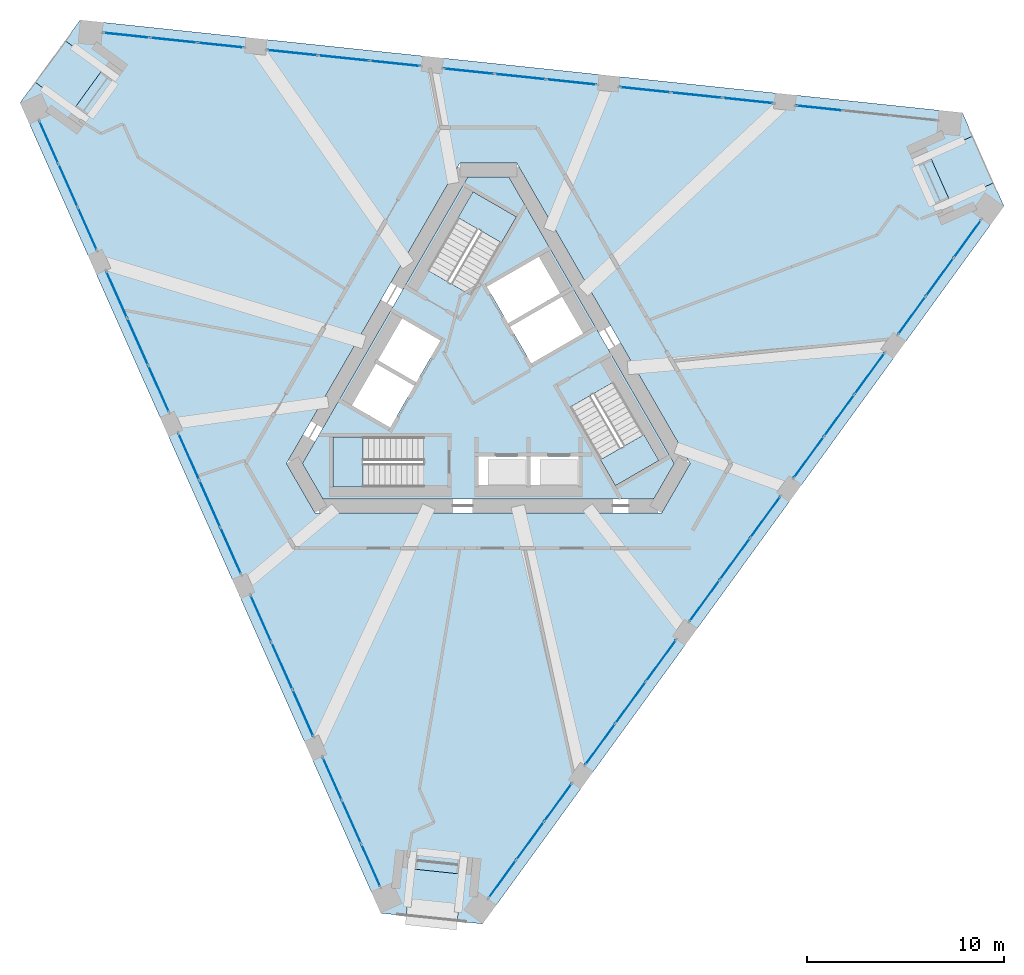
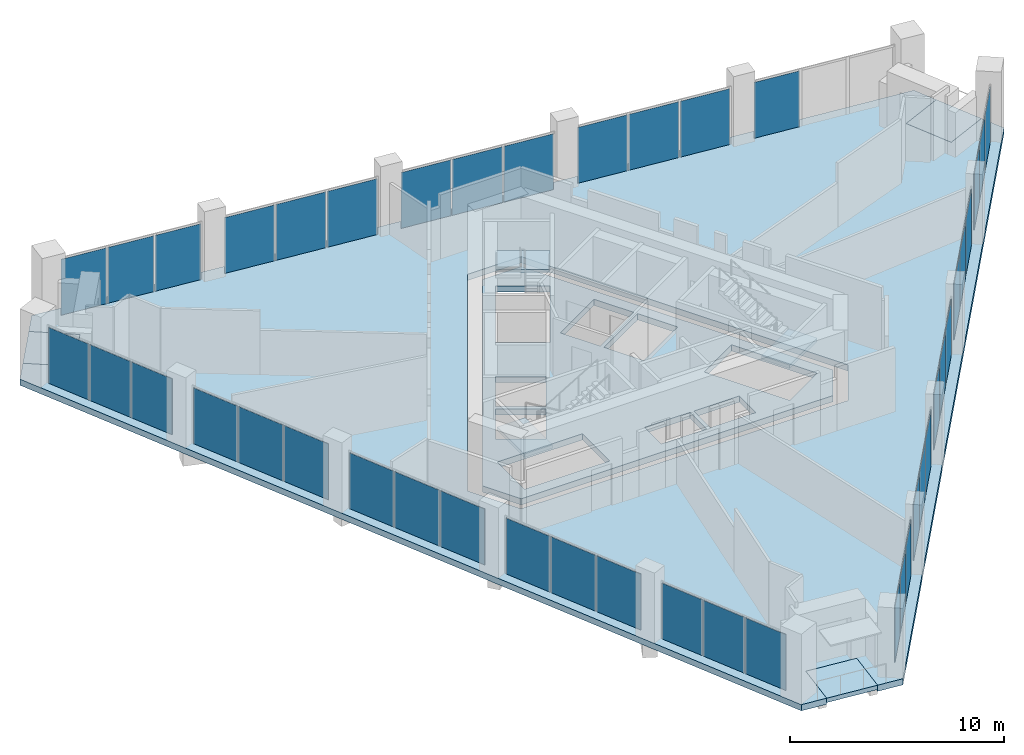
# One storey, part 7 of 15: 43 plates, 8 slabs, 18 elements without a shape of their own.
"""IFC4 building model written with IfcOpenShell, lengths in metres."""

from ifc_helpers import new_model, si_unit, direction, frame, origin, origin_2d, place, context, subcontext, project, spatial, polyline, rectangle, outline, extrude, material, layer, layer_set, type_object, element, aggregate, save


model = new_model("IFC4")

# Units and contexts
model_context = context("Model", 3, precision=1e-05, world=origin(), true_north=direction((0.0, 1.0)))
body_context = subcontext(model_context, "Body", "Model", "MODEL_VIEW")
ifc_project = project(units=[si_unit("LENGTHUNIT", "METRE"), si_unit("AREAUNIT", "SQUARE_METRE"), si_unit("VOLUMEUNIT", "CUBIC_METRE"), si_unit("PLANEANGLEUNIT", "RADIAN"), si_unit("MASSUNIT", "GRAM", prefix="KILO")], contexts=[model_context])

# Site, building, storey
site_placement = place(None, origin())
site = spatial("IfcSite", under=ifc_project, at=site_placement, CompositionType="ELEMENT")
building_placement = place(site_placement, origin())
building = spatial("IfcBuilding", under=site, at=building_placement, Name="Tramontana Tower", CompositionType="ELEMENT")
storey_placement = place(building_placement, frame((0.0, 0.0, 237.199951171875)))
storey = spatial("IfcBuildingStorey", under=building, at=storey_placement, Name="L55", CompositionType="ELEMENT", Elevation=237.199951171875)

# Curtain wall, plates
ifc_material_1 = material(Name="Aluminum extrusion", Category="aluminium")
ifc_layer_1 = layer(ifc_material_1, 0.14990234375)
ifc_layer_set_1 = layer_set([ifc_layer_1], Name="CW4 Sky lobby 2 curtain wall")
curtain_wall_type = type_object("IfcCurtainWallType", Name="CW4 Sky lobby 2 curtain wall", PredefinedType="NOTDEFINED", material=ifc_layer_set_1)
curtain_wall_1_placement = place(storey_placement, origin())
curtain_wall_1 = element("IfcCurtainWall", 1, at=curtain_wall_1_placement, inside=storey, type_object=curtain_wall_type, Name="CW4 curtain wall L55 face 0 bay 1", PredefinedType="NOTDEFINED")
ifc_material_2 = material(Name="Low-iron double glazing unit", Category="glass")
ifc_layer_2 = layer(ifc_material_2, 0.030029296875)
ifc_layer_set_2 = layer_set([ifc_layer_2], Name="CW4-P Glazing panel 30")
plate_type = type_object("IfcPlateType", Name="CW4-P Glazing panel 30", PredefinedType="CURTAIN_PANEL", material=ifc_layer_set_2)
plate_1_placement = place(storey_placement, frame((-22.309326171875, 12.060791015625, 0.0), z_axis=(0.0, 0.0, 1.0), x_axis=(0.406736643076, -0.913545457643, 0.0)))
plate_1 = element("IfcPlate", 2, at=plate_1_placement, type_object=plate_type, Name="CW4 curtain wall L55 face 0 bay 1 panel 1.1", PredefinedType="CURTAIN_PANEL", context=body_context, shape_type="SweptSolid", body=[
    extrude(rectangle(XDim=2.328857421875, YDim=0.030029296875, at=origin_2d()), origin(), (0.0, 0.0, 1.0), 3.179931640625),
])
plate_2_placement = place(storey_placement, frame((-21.33154296875, 9.86474609375, 0.0), z_axis=(0.0, 0.0, 1.0), x_axis=(0.406736643076, -0.913545457643, 0.0)))
plate_2 = element("IfcPlate", 3, at=plate_2_placement, type_object=plate_type, Name="CW4 curtain wall L55 face 0 bay 1 panel 2.1", PredefinedType="CURTAIN_PANEL", context=body_context, shape_type="SweptSolid", body=[
    extrude(rectangle(XDim=2.35888671875, YDim=0.030029296875, at=origin_2d()), origin(), (0.0, 0.0, 1.0), 3.179931640625),
])
plate_3_placement = place(storey_placement, frame((-20.353759765625, 7.668701171875, 0.0), z_axis=(0.0, 0.0, 1.0), x_axis=(0.406736643076, -0.913545457643, 0.0)))
plate_3 = element("IfcPlate", 4, at=plate_3_placement, type_object=plate_type, Name="CW4 curtain wall L55 face 0 bay 1 panel 3.1", PredefinedType="CURTAIN_PANEL", context=body_context, shape_type="SweptSolid", body=[
    extrude(rectangle(XDim=2.328857421875, YDim=0.030029296875, at=origin_2d()), origin(), (0.0, 0.0, 1.0), 3.179931640625),
])
aggregate(curtain_wall_1, [plate_1, plate_2, plate_3])

curtain_wall_2_placement = place(storey_placement, origin())
curtain_wall_2 = element("IfcCurtainWall", 5, at=curtain_wall_2_placement, inside=storey, type_object=curtain_wall_type, Name="CW4 curtain wall L55 face 0 bay 2", PredefinedType="NOTDEFINED")
plate_4_placement = place(storey_placement, frame((-18.8662109375, 4.32763671875, 0.0), z_axis=(0.0, 0.0, 1.0), x_axis=(0.406736643076, -0.913545457643, 0.0)))
plate_4 = element("IfcPlate", 6, at=plate_4_placement, type_object=plate_type, Name="CW4 curtain wall L55 face 0 bay 2 panel 1.1", PredefinedType="CURTAIN_PANEL", context=body_context, shape_type="SweptSolid", body=[
    extrude(rectangle(XDim=2.545654296875, YDim=0.030029296875, at=origin_2d()), origin(), (0.0, 0.0, 1.0), 3.179931640625),
])
plate_5_placement = place(storey_placement, frame((-17.800537109375, 1.933837890625, 0.0), z_axis=(0.0, 0.0, 1.0), x_axis=(0.406736643076, -0.913545457643, 0.0)))
plate_5 = element("IfcPlate", 7, at=plate_5_placement, type_object=plate_type, Name="CW4 curtain wall L55 face 0 bay 2 panel 2.1", PredefinedType="CURTAIN_PANEL", context=body_context, shape_type="SweptSolid", body=[
    extrude(rectangle(XDim=2.575439453125, YDim=0.030029296875, at=origin_2d()), origin(), (0.0, 0.0, 1.0), 3.179931640625),
])
plate_6_placement = place(storey_placement, frame((-16.734619140625, -0.460205078125, 0.0), z_axis=(0.0, 0.0, 1.0), x_axis=(0.406736643076, -0.913545457643, 0.0)))
plate_6 = element("IfcPlate", 8, at=plate_6_placement, type_object=plate_type, Name="CW4 curtain wall L55 face 0 bay 2 panel 3.1", PredefinedType="CURTAIN_PANEL", context=body_context, shape_type="SweptSolid", body=[
    extrude(rectangle(XDim=2.545654296875, YDim=0.030029296875, at=origin_2d()), origin(), (0.0, 0.0, 1.0), 3.179931640625),
])
aggregate(curtain_wall_2, [plate_4, plate_5, plate_6])

curtain_wall_3_placement = place(storey_placement, origin())
curtain_wall_3 = element("IfcCurtainWall", 9, at=curtain_wall_3_placement, inside=storey, type_object=curtain_wall_type, Name="CW4 curtain wall L55 face 0 bay 3", PredefinedType="NOTDEFINED")
plate_7_placement = place(storey_placement, frame((-15.202880859375, -3.900146484375, 0.0), z_axis=(0.0, 0.0, 1.0), x_axis=(0.406736643076, -0.913545457643, 0.0)))
plate_7 = element("IfcPlate", 10, at=plate_7_placement, type_object=plate_type, Name="CW4 curtain wall L55 face 0 bay 3 panel 1.1", PredefinedType="CURTAIN_PANEL", context=body_context, shape_type="SweptSolid", body=[
    extrude(rectangle(XDim=2.545654296875, YDim=0.030029296875, at=origin_2d()), origin(), (0.0, 0.0, 1.0), 3.179931640625),
])
plate_8_placement = place(storey_placement, frame((-14.13720703125, -6.294189453125, 0.0), z_axis=(0.0, 0.0, 1.0), x_axis=(0.406736643076, -0.913545457643, 0.0)))
plate_8 = element("IfcPlate", 11, at=plate_8_placement, type_object=plate_type, Name="CW4 curtain wall L55 face 0 bay 3 panel 2.1", PredefinedType="CURTAIN_PANEL", context=body_context, shape_type="SweptSolid", body=[
    extrude(rectangle(XDim=2.575439453125, YDim=0.030029296875, at=origin_2d()), origin(), (0.0, 0.0, 1.0), 3.179931640625),
])
plate_9_placement = place(storey_placement, frame((-13.0712890625, -8.688232421875, 0.0), z_axis=(0.0, 0.0, 1.0), x_axis=(0.406736643076, -0.913545457643, 0.0)))
plate_9 = element("IfcPlate", 12, at=plate_9_placement, type_object=plate_type, Name="CW4 curtain wall L55 face 0 bay 3 panel 3.1", PredefinedType="CURTAIN_PANEL", context=body_context, shape_type="SweptSolid", body=[
    extrude(rectangle(XDim=2.545654296875, YDim=0.030029296875, at=origin_2d()), origin(), (0.0, 0.0, 1.0), 3.179931640625),
])
aggregate(curtain_wall_3, [plate_7, plate_8, plate_9])

curtain_wall_4_placement = place(storey_placement, origin())
curtain_wall_4 = element("IfcCurtainWall", 13, at=curtain_wall_4_placement, inside=storey, type_object=curtain_wall_type, Name="CW4 curtain wall L55 face 0 bay 4", PredefinedType="NOTDEFINED")
plate_10_placement = place(storey_placement, frame((-11.53955078125, -12.128173828125, 0.0), z_axis=(0.0, 0.0, 1.0), x_axis=(0.406736643076, -0.913545457643, 0.0)))
plate_10 = element("IfcPlate", 14, at=plate_10_placement, type_object=plate_type, Name="CW4 curtain wall L55 face 0 bay 4 panel 1.1", PredefinedType="CURTAIN_PANEL", context=body_context, shape_type="SweptSolid", body=[
    extrude(rectangle(XDim=2.545654296875, YDim=0.030029296875, at=origin_2d()), origin(), (0.0, 0.0, 1.0), 3.179931640625),
])
plate_11_placement = place(storey_placement, frame((-10.473876953125, -14.522216796875, 0.0), z_axis=(0.0, 0.0, 1.0), x_axis=(0.406736643076, -0.913545457643, 0.0)))
plate_11 = element("IfcPlate", 15, at=plate_11_placement, type_object=plate_type, Name="CW4 curtain wall L55 face 0 bay 4 panel 2.1", PredefinedType="CURTAIN_PANEL", context=body_context, shape_type="SweptSolid", body=[
    extrude(rectangle(XDim=2.575439453125, YDim=0.030029296875, at=origin_2d()), origin(), (0.0, 0.0, 1.0), 3.179931640625),
])
plate_12_placement = place(storey_placement, frame((-9.407958984375, -16.916259765625, 0.0), z_axis=(0.0, 0.0, 1.0), x_axis=(0.406736643076, -0.913545457643, 0.0)))
plate_12 = element("IfcPlate", 16, at=plate_12_placement, type_object=plate_type, Name="CW4 curtain wall L55 face 0 bay 4 panel 3.1", PredefinedType="CURTAIN_PANEL", context=body_context, shape_type="SweptSolid", body=[
    extrude(rectangle(XDim=2.545654296875, YDim=0.030029296875, at=origin_2d()), origin(), (0.0, 0.0, 1.0), 3.179931640625),
])
aggregate(curtain_wall_4, [plate_10, plate_11, plate_12])

curtain_wall_5_placement = place(storey_placement, origin())
curtain_wall_5 = element("IfcCurtainWall", 17, at=curtain_wall_5_placement, inside=storey, type_object=curtain_wall_type, Name="CW4 curtain wall L55 face 0 bay 5", PredefinedType="NOTDEFINED")
plate_13_placement = place(storey_placement, frame((-7.92041015625, -20.25732421875, 0.0), z_axis=(0.0, 0.0, 1.0), x_axis=(0.406736643076, -0.913545457643, 0.0)))
plate_13 = element("IfcPlate", 18, at=plate_13_placement, type_object=plate_type, Name="CW4 curtain wall L55 face 0 bay 5 panel 1.1", PredefinedType="CURTAIN_PANEL", context=body_context, shape_type="SweptSolid", body=[
    extrude(rectangle(XDim=2.328857421875, YDim=0.030029296875, at=origin_2d()), origin(), (0.0, 0.0, 1.0), 3.179931640625),
])
plate_14_placement = place(storey_placement, frame((-6.942626953125, -22.453369140625, 0.0), z_axis=(0.0, 0.0, 1.0), x_axis=(0.406736643076, -0.913545457643, 0.0)))
plate_14 = element("IfcPlate", 19, at=plate_14_placement, type_object=plate_type, Name="CW4 curtain wall L55 face 0 bay 5 panel 2.1", PredefinedType="CURTAIN_PANEL", context=body_context, shape_type="SweptSolid", body=[
    extrude(rectangle(XDim=2.35888671875, YDim=0.030029296875, at=origin_2d()), origin(), (0.0, 0.0, 1.0), 3.179931640625),
])
plate_15_placement = place(storey_placement, frame((-5.96484375, -24.6494140625, 0.0), z_axis=(0.0, 0.0, 1.0), x_axis=(0.406736643076, -0.913545457643, 0.0)))
plate_15 = element("IfcPlate", 20, at=plate_15_placement, type_object=plate_type, Name="CW4 curtain wall L55 face 0 bay 5 panel 3.1", PredefinedType="CURTAIN_PANEL", context=body_context, shape_type="SweptSolid", body=[
    extrude(rectangle(XDim=2.328857421875, YDim=0.030029296875, at=origin_2d()), origin(), (0.0, 0.0, 1.0), 3.179931640625),
])
aggregate(curtain_wall_5, [plate_13, plate_14, plate_15])

curtain_wall_6_placement = place(storey_placement, origin())
curtain_wall_6 = element("IfcCurtainWall", 21, at=curtain_wall_6_placement, inside=storey, type_object=curtain_wall_type, Name="CW4 curtain wall L55 face 1 bay 1", PredefinedType="NOTDEFINED")
plate_16_placement = place(storey_placement, frame((0.709716796875, -25.350830078125, 0.0), z_axis=(0.0, 0.0, 1.0), x_axis=(0.587785252292, 0.809016994375, 0.0)))
plate_16 = element("IfcPlate", 22, at=plate_16_placement, type_object=plate_type, Name="CW4 curtain wall L55 face 1 bay 1 panel 1.1", PredefinedType="CURTAIN_PANEL", context=body_context, shape_type="SweptSolid", body=[
    extrude(rectangle(XDim=2.328857421875, YDim=0.030029296875, at=origin_2d()), origin(), (0.0, 0.0, 1.0), 3.179931640625),
])
plate_17_placement = place(storey_placement, frame((2.12255859375, -23.40625, 0.0), z_axis=(0.0, 0.0, 1.0), x_axis=(0.587785252292, 0.809016994375, 0.0)))
plate_17 = element("IfcPlate", 23, at=plate_17_placement, type_object=plate_type, Name="CW4 curtain wall L55 face 1 bay 1 panel 2.1", PredefinedType="CURTAIN_PANEL", context=body_context, shape_type="SweptSolid", body=[
    extrude(rectangle(XDim=2.35888671875, YDim=0.030029296875, at=origin_2d()), origin(), (0.0, 0.0, 1.0), 3.179931640625),
])
plate_18_placement = place(storey_placement, frame((3.53564453125, -21.46142578125, 0.0), z_axis=(0.0, 0.0, 1.0), x_axis=(0.587785252292, 0.809016994375, 0.0)))
plate_18 = element("IfcPlate", 24, at=plate_18_placement, type_object=plate_type, Name="CW4 curtain wall L55 face 1 bay 1 panel 3.1", PredefinedType="CURTAIN_PANEL", context=body_context, shape_type="SweptSolid", body=[
    extrude(rectangle(XDim=2.328857421875, YDim=0.030029296875, at=origin_2d()), origin(), (0.0, 0.0, 1.0), 3.179931640625),
])
aggregate(curtain_wall_6, [plate_16, plate_17, plate_18])

curtain_wall_7_placement = place(storey_placement, origin())
curtain_wall_7 = element("IfcCurtainWall", 25, at=curtain_wall_7_placement, inside=storey, type_object=curtain_wall_type, Name="CW4 curtain wall L55 face 1 bay 2", PredefinedType="NOTDEFINED")
plate_19_placement = place(storey_placement, frame((5.685302734375, -18.502685546875, 0.0), z_axis=(0.0, 0.0, 1.0), x_axis=(0.587785252292, 0.809016994375, 0.0)))
plate_19 = element("IfcPlate", 26, at=plate_19_placement, type_object=plate_type, Name="CW4 curtain wall L55 face 1 bay 2 panel 1.1", PredefinedType="CURTAIN_PANEL", context=body_context, shape_type="SweptSolid", body=[
    extrude(rectangle(XDim=2.545654296875, YDim=0.030029296875, at=origin_2d()), origin(), (0.0, 0.0, 1.0), 3.179931640625),
])
plate_20_placement = place(storey_placement, frame((7.2255859375, -16.382568359375, 0.0), z_axis=(0.0, 0.0, 1.0), x_axis=(0.587785252292, 0.809016994375, 0.0)))
plate_20 = element("IfcPlate", 27, at=plate_20_placement, type_object=plate_type, Name="CW4 curtain wall L55 face 1 bay 2 panel 2.1", PredefinedType="CURTAIN_PANEL", context=body_context, shape_type="SweptSolid", body=[
    extrude(rectangle(XDim=2.575439453125, YDim=0.030029296875, at=origin_2d()), origin(), (0.0, 0.0, 1.0), 3.179931640625),
])
plate_21_placement = place(storey_placement, frame((8.765869140625, -14.262451171875, 0.0), z_axis=(0.0, 0.0, 1.0), x_axis=(0.587785252292, 0.809016994375, 0.0)))
plate_21 = element("IfcPlate", 28, at=plate_21_placement, type_object=plate_type, Name="CW4 curtain wall L55 face 1 bay 2 panel 3.1", PredefinedType="CURTAIN_PANEL", context=body_context, shape_type="SweptSolid", body=[
    extrude(rectangle(XDim=2.545654296875, YDim=0.030029296875, at=origin_2d()), origin(), (0.0, 0.0, 1.0), 3.179931640625),
])
aggregate(curtain_wall_7, [plate_19, plate_20, plate_21])

curtain_wall_8_placement = place(storey_placement, origin())
curtain_wall_8 = element("IfcCurtainWall", 29, at=curtain_wall_8_placement, inside=storey, type_object=curtain_wall_type, Name="CW4 curtain wall L55 face 1 bay 3", PredefinedType="NOTDEFINED")
plate_22_placement = place(storey_placement, frame((10.979248046875, -11.216064453125, 0.0), z_axis=(0.0, 0.0, 1.0), x_axis=(0.587785252292, 0.809016994375, 0.0)))
plate_22 = element("IfcPlate", 30, at=plate_22_placement, type_object=plate_type, Name="CW4 curtain wall L55 face 1 bay 3 panel 1.1", PredefinedType="CURTAIN_PANEL", context=body_context, shape_type="SweptSolid", body=[
    extrude(rectangle(XDim=2.545654296875, YDim=0.030029296875, at=origin_2d()), origin(), (0.0, 0.0, 1.0), 3.179931640625),
])
plate_23_placement = place(storey_placement, frame((12.51953125, -9.095947265625, 0.0), z_axis=(0.0, 0.0, 1.0), x_axis=(0.587785252292, 0.809016994375, 0.0)))
plate_23 = element("IfcPlate", 31, at=plate_23_placement, type_object=plate_type, Name="CW4 curtain wall L55 face 1 bay 3 panel 2.1", PredefinedType="CURTAIN_PANEL", context=body_context, shape_type="SweptSolid", body=[
    extrude(rectangle(XDim=2.575439453125, YDim=0.030029296875, at=origin_2d()), origin(), (0.0, 0.0, 1.0), 3.179931640625),
])
plate_24_placement = place(storey_placement, frame((14.059814453125, -6.975830078125, 0.0), z_axis=(0.0, 0.0, 1.0), x_axis=(0.587785252292, 0.809016994375, 0.0)))
plate_24 = element("IfcPlate", 32, at=plate_24_placement, type_object=plate_type, Name="CW4 curtain wall L55 face 1 bay 3 panel 3.1", PredefinedType="CURTAIN_PANEL", context=body_context, shape_type="SweptSolid", body=[
    extrude(rectangle(XDim=2.545654296875, YDim=0.030029296875, at=origin_2d()), origin(), (0.0, 0.0, 1.0), 3.179931640625),
])
aggregate(curtain_wall_8, [plate_22, plate_23, plate_24])

curtain_wall_9_placement = place(storey_placement, origin())
curtain_wall_9 = element("IfcCurtainWall", 33, at=curtain_wall_9_placement, inside=storey, type_object=curtain_wall_type, Name="CW4 curtain wall L55 face 1 bay 4", PredefinedType="NOTDEFINED")
plate_25_placement = place(storey_placement, frame((16.273193359375, -3.929443359375, 0.0), z_axis=(0.0, 0.0, 1.0), x_axis=(0.587785252292, 0.809016994375, 0.0)))
plate_25 = element("IfcPlate", 34, at=plate_25_placement, type_object=plate_type, Name="CW4 curtain wall L55 face 1 bay 4 panel 1.1", PredefinedType="CURTAIN_PANEL", context=body_context, shape_type="SweptSolid", body=[
    extrude(rectangle(XDim=2.545654296875, YDim=0.030029296875, at=origin_2d()), origin(), (0.0, 0.0, 1.0), 3.179931640625),
])
plate_26_placement = place(storey_placement, frame((17.8134765625, -1.809326171875, 0.0), z_axis=(0.0, 0.0, 1.0), x_axis=(0.587785252292, 0.809016994375, 0.0)))
plate_26 = element("IfcPlate", 35, at=plate_26_placement, type_object=plate_type, Name="CW4 curtain wall L55 face 1 bay 4 panel 2.1", PredefinedType="CURTAIN_PANEL", context=body_context, shape_type="SweptSolid", body=[
    extrude(rectangle(XDim=2.575439453125, YDim=0.030029296875, at=origin_2d()), origin(), (0.0, 0.0, 1.0), 3.179931640625),
])
plate_27_placement = place(storey_placement, frame((19.353759765625, 0.310546875, 0.0), z_axis=(0.0, 0.0, 1.0), x_axis=(0.587785252292, 0.809016994375, 0.0)))
plate_27 = element("IfcPlate", 36, at=plate_27_placement, type_object=plate_type, Name="CW4 curtain wall L55 face 1 bay 4 panel 3.1", PredefinedType="CURTAIN_PANEL", context=body_context, shape_type="SweptSolid", body=[
    extrude(rectangle(XDim=2.545654296875, YDim=0.030029296875, at=origin_2d()), origin(), (0.0, 0.0, 1.0), 3.179931640625),
])
aggregate(curtain_wall_9, [plate_25, plate_26, plate_27])

curtain_wall_10_placement = place(storey_placement, origin())
curtain_wall_10 = element("IfcCurtainWall", 37, at=curtain_wall_10_placement, inside=storey, type_object=curtain_wall_type, Name="CW4 curtain wall L55 face 1 bay 5", PredefinedType="NOTDEFINED")
plate_28_placement = place(storey_placement, frame((21.50341796875, 3.269287109375, 0.0), z_axis=(0.0, 0.0, 1.0), x_axis=(0.587785252292, 0.809016994375, 0.0)))
plate_28 = element("IfcPlate", 38, at=plate_28_placement, type_object=plate_type, Name="CW4 curtain wall L55 face 1 bay 5 panel 1.1", PredefinedType="CURTAIN_PANEL", context=body_context, shape_type="SweptSolid", body=[
    extrude(rectangle(XDim=2.328857421875, YDim=0.030029296875, at=origin_2d()), origin(), (0.0, 0.0, 1.0), 3.179931640625),
])
plate_29_placement = place(storey_placement, frame((22.91650390625, 5.214111328125, 0.0), z_axis=(0.0, 0.0, 1.0), x_axis=(0.587785252292, 0.809016994375, 0.0)))
plate_29 = element("IfcPlate", 39, at=plate_29_placement, type_object=plate_type, Name="CW4 curtain wall L55 face 1 bay 5 panel 2.1", PredefinedType="CURTAIN_PANEL", context=body_context, shape_type="SweptSolid", body=[
    extrude(rectangle(XDim=2.35888671875, YDim=0.030029296875, at=origin_2d()), origin(), (0.0, 0.0, 1.0), 3.179931640625),
])
plate_30_placement = place(storey_placement, frame((24.329345703125, 7.158935546875, 0.0), z_axis=(0.0, 0.0, 1.0), x_axis=(0.587785252292, 0.809016994375, 0.0)))
plate_30 = element("IfcPlate", 40, at=plate_30_placement, type_object=plate_type, Name="CW4 curtain wall L55 face 1 bay 5 panel 3.1", PredefinedType="CURTAIN_PANEL", context=body_context, shape_type="SweptSolid", body=[
    extrude(rectangle(XDim=2.328857421875, YDim=0.030029296875, at=origin_2d()), origin(), (0.0, 0.0, 1.0), 3.179931640625),
])
aggregate(curtain_wall_10, [plate_28, plate_29, plate_30])

# Curtain wall, plate
curtain_wall_11_placement = place(storey_placement, origin())
curtain_wall_11 = element("IfcCurtainWall", 41, at=curtain_wall_11_placement, inside=storey, type_object=curtain_wall_type, Name="CW4 curtain wall L55 face 2 bay 1", PredefinedType="NOTDEFINED")
plate_31_placement = place(storey_placement, frame((16.818359375, 13.79248046875, 0.0), z_axis=(0.0, 0.0, 1.0), x_axis=(-0.994521895368, 0.104528463268, 0.0)))
plate_31 = element("IfcPlate", 42, at=plate_31_placement, type_object=plate_type, Name="CW4 curtain wall L55 face 2 bay 1 panel 3.1", PredefinedType="CURTAIN_PANEL", context=body_context, shape_type="SweptSolid", body=[
    extrude(rectangle(XDim=2.328857421875, YDim=0.030029296875, at=origin_2d()), origin(), (0.0, 0.0, 1.0), 3.179931640625),
])
aggregate(curtain_wall_11, [plate_31])

# Curtain wall, plates
curtain_wall_12_placement = place(storey_placement, origin())
curtain_wall_12 = element("IfcCurtainWall", 43, at=curtain_wall_12_placement, inside=storey, type_object=curtain_wall_type, Name="CW4 curtain wall L55 face 2 bay 2", PredefinedType="NOTDEFINED")
plate_32_placement = place(storey_placement, frame((13.18115234375, 14.1748046875, 0.0), z_axis=(0.0, 0.0, 1.0), x_axis=(-0.994521895368, 0.104528463268, 0.0)))
plate_32 = element("IfcPlate", 44, at=plate_32_placement, type_object=plate_type, Name="CW4 curtain wall L55 face 2 bay 2 panel 1.1", PredefinedType="CURTAIN_PANEL", context=body_context, shape_type="SweptSolid", body=[
    extrude(rectangle(XDim=2.545654296875, YDim=0.030029296875, at=origin_2d()), origin(), (0.0, 0.0, 1.0), 3.179931640625),
])
plate_33_placement = place(storey_placement, frame((10.574951171875, 14.44873046875, 0.0), z_axis=(0.0, 0.0, 1.0), x_axis=(-0.994521895368, 0.104528463268, 0.0)))
plate_33 = element("IfcPlate", 45, at=plate_33_placement, type_object=plate_type, Name="CW4 curtain wall L55 face 2 bay 2 panel 2.1", PredefinedType="CURTAIN_PANEL", context=body_context, shape_type="SweptSolid", body=[
    extrude(rectangle(XDim=2.575439453125, YDim=0.030029296875, at=origin_2d()), origin(), (0.0, 0.0, 1.0), 3.179931640625),
])
plate_34_placement = place(storey_placement, frame((7.96875, 14.72265625, 0.0), z_axis=(0.0, 0.0, 1.0), x_axis=(-0.994521895368, 0.104528463268, 0.0)))
plate_34 = element("IfcPlate", 46, at=plate_34_placement, type_object=plate_type, Name="CW4 curtain wall L55 face 2 bay 2 panel 3.1", PredefinedType="CURTAIN_PANEL", context=body_context, shape_type="SweptSolid", body=[
    extrude(rectangle(XDim=2.545654296875, YDim=0.030029296875, at=origin_2d()), origin(), (0.0, 0.0, 1.0), 3.179931640625),
])
aggregate(curtain_wall_12, [plate_32, plate_33, plate_34])

curtain_wall_13_placement = place(storey_placement, origin())
curtain_wall_13 = element("IfcCurtainWall", 47, at=curtain_wall_13_placement, inside=storey, type_object=curtain_wall_type, Name="CW4 curtain wall L55 face 2 bay 3", PredefinedType="NOTDEFINED")
plate_35_placement = place(storey_placement, frame((4.223876953125, 15.1162109375, 0.0), z_axis=(0.0, 0.0, 1.0), x_axis=(-0.994521895368, 0.104528463268, 0.0)))
plate_35 = element("IfcPlate", 48, at=plate_35_placement, type_object=plate_type, Name="CW4 curtain wall L55 face 2 bay 3 panel 1.1", PredefinedType="CURTAIN_PANEL", context=body_context, shape_type="SweptSolid", body=[
    extrude(rectangle(XDim=2.545654296875, YDim=0.030029296875, at=origin_2d()), origin(), (0.0, 0.0, 1.0), 3.179931640625),
])
plate_36_placement = place(storey_placement, frame((1.61767578125, 15.39013671875, 0.0), z_axis=(0.0, 0.0, 1.0), x_axis=(-0.994521895368, 0.104528463268, 0.0)))
plate_36 = element("IfcPlate", 49, at=plate_36_placement, type_object=plate_type, Name="CW4 curtain wall L55 face 2 bay 3 panel 2.1", PredefinedType="CURTAIN_PANEL", context=body_context, shape_type="SweptSolid", body=[
    extrude(rectangle(XDim=2.575439453125, YDim=0.030029296875, at=origin_2d()), origin(), (0.0, 0.0, 1.0), 3.179931640625),
])
plate_37_placement = place(storey_placement, frame((-0.988525390625, 15.6640625, 0.0), z_axis=(0.0, 0.0, 1.0), x_axis=(-0.994521895368, 0.104528463268, 0.0)))
plate_37 = element("IfcPlate", 50, at=plate_37_placement, type_object=plate_type, Name="CW4 curtain wall L55 face 2 bay 3 panel 3.1", PredefinedType="CURTAIN_PANEL", context=body_context, shape_type="SweptSolid", body=[
    extrude(rectangle(XDim=2.545654296875, YDim=0.030029296875, at=origin_2d()), origin(), (0.0, 0.0, 1.0), 3.179931640625),
])
aggregate(curtain_wall_13, [plate_35, plate_36, plate_37])

curtain_wall_14_placement = place(storey_placement, origin())
curtain_wall_14 = element("IfcCurtainWall", 51, at=curtain_wall_14_placement, inside=storey, type_object=curtain_wall_type, Name="CW4 curtain wall L55 face 2 bay 4", PredefinedType="NOTDEFINED")
plate_38_placement = place(storey_placement, frame((-4.733642578125, 16.057861328125, 0.0), z_axis=(0.0, 0.0, 1.0), x_axis=(-0.994521895368, 0.104528463268, 0.0)))
plate_38 = element("IfcPlate", 52, at=plate_38_placement, type_object=plate_type, Name="CW4 curtain wall L55 face 2 bay 4 panel 1.1", PredefinedType="CURTAIN_PANEL", context=body_context, shape_type="SweptSolid", body=[
    extrude(rectangle(XDim=2.545654296875, YDim=0.030029296875, at=origin_2d()), origin(), (0.0, 0.0, 1.0), 3.179931640625),
])
plate_39_placement = place(storey_placement, frame((-7.33984375, 16.331787109375, 0.0), z_axis=(0.0, 0.0, 1.0), x_axis=(-0.994521895368, 0.104528463268, 0.0)))
plate_39 = element("IfcPlate", 53, at=plate_39_placement, type_object=plate_type, Name="CW4 curtain wall L55 face 2 bay 4 panel 2.1", PredefinedType="CURTAIN_PANEL", context=body_context, shape_type="SweptSolid", body=[
    extrude(rectangle(XDim=2.575439453125, YDim=0.030029296875, at=origin_2d()), origin(), (0.0, 0.0, 1.0), 3.179931640625),
])
plate_40_placement = place(storey_placement, frame((-9.946044921875, 16.605712890625, 0.0), z_axis=(0.0, 0.0, 1.0), x_axis=(-0.994521895368, 0.104528463268, 0.0)))
plate_40 = element("IfcPlate", 54, at=plate_40_placement, type_object=plate_type, Name="CW4 curtain wall L55 face 2 bay 4 panel 3.1", PredefinedType="CURTAIN_PANEL", context=body_context, shape_type="SweptSolid", body=[
    extrude(rectangle(XDim=2.545654296875, YDim=0.030029296875, at=origin_2d()), origin(), (0.0, 0.0, 1.0), 3.179931640625),
])
aggregate(curtain_wall_14, [plate_38, plate_39, plate_40])

curtain_wall_15_placement = place(storey_placement, origin())
curtain_wall_15 = element("IfcCurtainWall", 55, at=curtain_wall_15_placement, inside=storey, type_object=curtain_wall_type, Name="CW4 curtain wall L55 face 2 bay 5", PredefinedType="NOTDEFINED")
plate_41_placement = place(storey_placement, frame((-13.583251953125, 16.98779296875, 0.0), z_axis=(0.0, 0.0, 1.0), x_axis=(-0.994521895368, 0.104528463268, 0.0)))
plate_41 = element("IfcPlate", 56, at=plate_41_placement, type_object=plate_type, Name="CW4 curtain wall L55 face 2 bay 5 panel 1.1", PredefinedType="CURTAIN_PANEL", context=body_context, shape_type="SweptSolid", body=[
    extrude(rectangle(XDim=2.328857421875, YDim=0.030029296875, at=origin_2d()), origin(), (0.0, 0.0, 1.0), 3.179931640625),
])
plate_42_placement = place(storey_placement, frame((-15.973876953125, 17.2392578125, 0.0), z_axis=(0.0, 0.0, 1.0), x_axis=(-0.994521895368, 0.104528463268, 0.0)))
plate_42 = element("IfcPlate", 57, at=plate_42_placement, type_object=plate_type, Name="CW4 curtain wall L55 face 2 bay 5 panel 2.1", PredefinedType="CURTAIN_PANEL", context=body_context, shape_type="SweptSolid", body=[
    extrude(rectangle(XDim=2.35888671875, YDim=0.030029296875, at=origin_2d()), origin(), (0.0, 0.0, 1.0), 3.179931640625),
])
plate_43_placement = place(storey_placement, frame((-18.364501953125, 17.490478515625, 0.0), z_axis=(0.0, 0.0, 1.0), x_axis=(-0.994521895368, 0.104528463268, 0.0)))
plate_43 = element("IfcPlate", 58, at=plate_43_placement, type_object=plate_type, Name="CW4 curtain wall L55 face 2 bay 5 panel 3.1", PredefinedType="CURTAIN_PANEL", context=body_context, shape_type="SweptSolid", body=[
    extrude(rectangle(XDim=2.328857421875, YDim=0.030029296875, at=origin_2d()), origin(), (0.0, 0.0, 1.0), 3.179931640625),
])
aggregate(curtain_wall_15, [plate_41, plate_42, plate_43])

# Slabs
ifc_material_3 = material(Name="Precast concrete 50 MPa", Category="concrete")
ifc_layer_3 = layer(ifc_material_3, 0.25)
ifc_layer_set_3 = layer_set([ifc_layer_3], Name="LT1 Loggia floor tray 250")
slab_type_1 = type_object("IfcSlabType", Name="LT1 Loggia floor tray 250", PredefinedType="FLOOR", material=ifc_layer_set_3)
slab_1_placement = place(storey_placement, frame((0.0, 0.0, -0.25)))
element("IfcSlab", 59, at=slab_1_placement, inside=storey, type_object=slab_type_1, Name="Corner loggia floor L55 K60", PredefinedType="FLOOR", context=body_context, shape_type="SweptSolid", body=[
    extrude(outline(polyline([(-21.48388671875, 17.2158203125), (-19.542236328125, 15.80517578125), (-21.070556640625, 13.70166015625), (-23.01220703125, 15.1123046875), (-21.48388671875, 17.2158203125)])), origin(), (0.0, 0.0, 1.0), 0.25),
])
slab_2_placement = place(storey_placement, frame((0.0, 0.0, -0.25)))
element("IfcSlab", 60, at=slab_2_placement, inside=storey, type_object=slab_type_1, Name="Corner loggia floor L55 K61", PredefinedType="FLOOR", context=body_context, shape_type="SweptSolid", body=[
    extrude(outline(polyline([(-4.16748046875, -27.21337890625), (-3.91650390625, -24.82666015625), (-1.330810546875, -25.098388671875), (-1.58154296875, -27.4853515625), (-4.16748046875, -27.21337890625)])), origin(), (0.0, 0.0, 1.0), 0.25),
])
slab_3_placement = place(storey_placement, frame((0.0, 0.0, -0.25)))
element("IfcSlab", 61, at=slab_3_placement, inside=storey, type_object=slab_type_1, Name="Corner loggia floor L55 K62", PredefinedType="FLOOR", context=body_context, shape_type="SweptSolid", body=[
    extrude(outline(polyline([(25.6513671875, 9.99755859375), (23.458740234375, 9.021484375), (22.401123046875, 11.396728515625), (24.59375, 12.372802734375), (25.6513671875, 9.99755859375)])), origin(), (0.0, 0.0, 1.0), 0.25),
])
ifc_material_4 = material(Name="Concrete 40 MPa", Category="concrete")
ifc_layer_4 = layer(ifc_material_4, 0.35009765625)
ifc_layer_set_4 = layer_set([ifc_layer_4], Name="PT FLAT SLAB 350 40 MPa")
slab_type_2 = type_object("IfcSlabType", Name="PT FLAT SLAB 350 40 MPa", PredefinedType="FLOOR", material=ifc_layer_set_4)
slab_4_placement = place(storey_placement, frame((0.0, 0.0, -0.349853515625)))
element("IfcSlab", 62, at=slab_4_placement, inside=storey, type_object=slab_type_2, Name="Floor slab L55", PredefinedType="FLOOR", context=body_context, shape_type="SweptSolid", body=[
    extrude(outline(polyline([(24.59375, 12.372802734375), (22.401123046875, 11.396728515625), (23.458740234375, 9.021484375), (25.6513671875, 9.99755859375), (26.17919921875, 8.811767578125), (-0.290771484375, -27.620849609375), (-1.581787109375, -27.485107421875), (-1.330810546875, -25.098388671875), (-3.91650390625, -24.82666015625), (-4.16748046875, -27.21337890625), (-5.45849609375, -27.077880859375), (-23.775146484375, 14.062255859375), (-23.01220703125, 15.1123046875), (-21.0703125, 13.70166015625), (-19.542236328125, 15.80517578125), (-21.48388671875, 17.2158203125), (-20.720947265625, 18.26611328125), (24.06591796875, 13.55859375), (24.59375, 12.372802734375)]), holes=[polyline([(-10.248046875, -4.25), (-8.8046875, -6.75), (8.8046875, -6.75), (10.248046875, -4.25), (1.443359375, 11.0), (-1.443359375, 11.0), (-10.248046875, -4.25)])]), origin(), (0.0, 0.0, 1.0), 0.349853515625),
])
slab_5_placement = place(storey_placement, frame((0.0, 0.0, -0.349853515625)))
element("IfcSlab", 63, at=slab_5_placement, inside=storey, type_object=slab_type_2, Name="Core floor slab L55", PredefinedType="FLOOR", context=body_context, shape_type="SweptSolid", body=[
    extrude(outline(polyline([(9.439697265625, -4.25), (8.400390625, -6.050048828125), (-8.400390625, -6.050048828125), (-9.439697265625, -4.25), (-1.039306640625, 10.300048828125), (1.039306640625, 10.300048828125), (9.439697265625, -4.25)]), holes=[polyline([(8.659912109375, -4.099365234375), (6.35986328125, -0.115478515625), (4.151611328125, -1.390625), (6.451416015625, -5.374267578125), (8.659912109375, -4.099365234375)]), polyline([(3.829833984375, 4.2666015625), (1.101806640625, 2.69140625), (2.177001953125, 0.82958984375), (4.90478515625, 2.404541015625), (3.829833984375, 4.2666015625)]), polyline([(4.590087890625, -5.449951171875), (4.590087890625, -3.89990234375), (2.139892578125, -3.89990234375), (2.139892578125, -5.449951171875), (4.590087890625, -5.449951171875)]), polyline([(3.729736328125, 4.439697265625), (2.65478515625, 6.3017578125), (-0.072998046875, 4.726806640625), (1.001953125, 2.86474609375), (3.729736328125, 4.439697265625)]), polyline([(1.93994140625, -5.449951171875), (1.93994140625, -3.89990234375), (-0.510009765625, -3.89990234375), (-0.510009765625, -5.449951171875), (1.93994140625, -5.449951171875)]), polyline([(1.428466796875, 8.2744140625), (-0.77978515625, 9.54931640625), (-3.079833984375, 5.565673828125), (-0.87158203125, 4.29052734375), (1.428466796875, 8.2744140625)]), polyline([(-5.689697265625, 1.044921875), (-3.65478515625, -0.130126953125), (-2.4296875, 1.99169921875), (-4.46484375, 3.166748046875), (-5.689697265625, 1.044921875)]), polyline([(-7.8798828125, -5.449951171875), (-3.280029296875, -5.449951171875), (-3.280029296875, -2.89990234375), (-7.8798828125, -2.89990234375), (-7.8798828125, -5.449951171875)]), polyline([(-7.014892578125, -1.25), (-4.979736328125, -2.425048828125), (-3.754638671875, -0.30322265625), (-5.789794921875, 0.87158203125), (-7.014892578125, -1.25)])]), origin(), (0.0, 0.0, 1.0), 0.349853515625),
])

# Stair, slab
ifc_material_5 = material(Name="Concrete 40 MPa", Category="concrete")
stair_type = type_object("IfcStairType", Name="EXIT STAIR 24 RISERS", PredefinedType="HALF_TURN_STAIR", material=ifc_material_5)
stair_1_placement = place(storey_placement, origin())
stair_1 = element("IfcStair", 64, at=stair_1_placement, inside=storey, type_object=stair_type, Name="L55 Exit stair ST1", PredefinedType="HALF_TURN_STAIR")
ifc_material_6 = material(Name="Concrete 40 MPa", Category="concrete")
ifc_layer_5 = layer(ifc_material_6, 0.199951171875)
ifc_layer_set_5 = layer_set([ifc_layer_5], Name="STAIR LANDING 200")
slab_type_3 = type_object("IfcSlabType", Name="STAIR LANDING 200", PredefinedType="LANDING", material=ifc_layer_set_5)
slab_6_placement = place(storey_placement, frame((0.0, 0.0, 1.800048828125)))
slab_6 = element("IfcSlab", 65, at=slab_6_placement, type_object=slab_type_3, Name="ST1 landing 1", PredefinedType="LANDING", context=body_context, shape_type="SweptSolid", body=[
    extrude(outline(polyline([(0.66845703125, 6.9580078125), (1.428466796875, 8.274169921875), (-0.77978515625, 9.54931640625), (-1.539794921875, 8.23291015625), (0.66845703125, 6.9580078125)])), origin(), (0.0, 0.0, 1.0), 0.199951171875),
])
aggregate(stair_1, [slab_6])

stair_2_placement = place(storey_placement, origin())
stair_2 = element("IfcStair", 66, at=stair_2_placement, inside=storey, type_object=stair_type, Name="L55 Exit stair ST2", PredefinedType="HALF_TURN_STAIR")
slab_7_placement = place(storey_placement, frame((0.0, 0.0, 1.800048828125)))
slab_7 = element("IfcSlab", 67, at=slab_7_placement, type_object=slab_type_3, Name="ST2 landing 1", PredefinedType="LANDING", context=body_context, shape_type="SweptSolid", body=[
    extrude(outline(polyline([(-6.360107421875, -2.89990234375), (-7.8798828125, -2.89990234375), (-7.8798828125, -5.449951171875), (-6.360107421875, -5.449951171875), (-6.360107421875, -2.89990234375)])), origin(), (0.0, 0.0, 1.0), 0.199951171875),
])
aggregate(stair_2, [slab_7])

stair_3_placement = place(storey_placement, origin())
stair_3 = element("IfcStair", 68, at=stair_3_placement, inside=storey, type_object=stair_type, Name="L55 Exit stair ST3", PredefinedType="HALF_TURN_STAIR")
slab_8_placement = place(storey_placement, frame((0.0, 0.0, 1.800048828125)))
slab_8 = element("IfcSlab", 69, at=slab_8_placement, type_object=slab_type_3, Name="ST3 landing 1", PredefinedType="LANDING", context=body_context, shape_type="SweptSolid", body=[
    extrude(outline(polyline([(5.69140625, -4.057861328125), (6.451416015625, -5.374267578125), (8.659912109375, -4.099365234375), (7.89990234375, -2.782958984375), (5.69140625, -4.057861328125)])), origin(), (0.0, 0.0, 1.0), 0.199951171875),
])
aggregate(stair_3, [slab_8])

save(model, "model.ifc")
